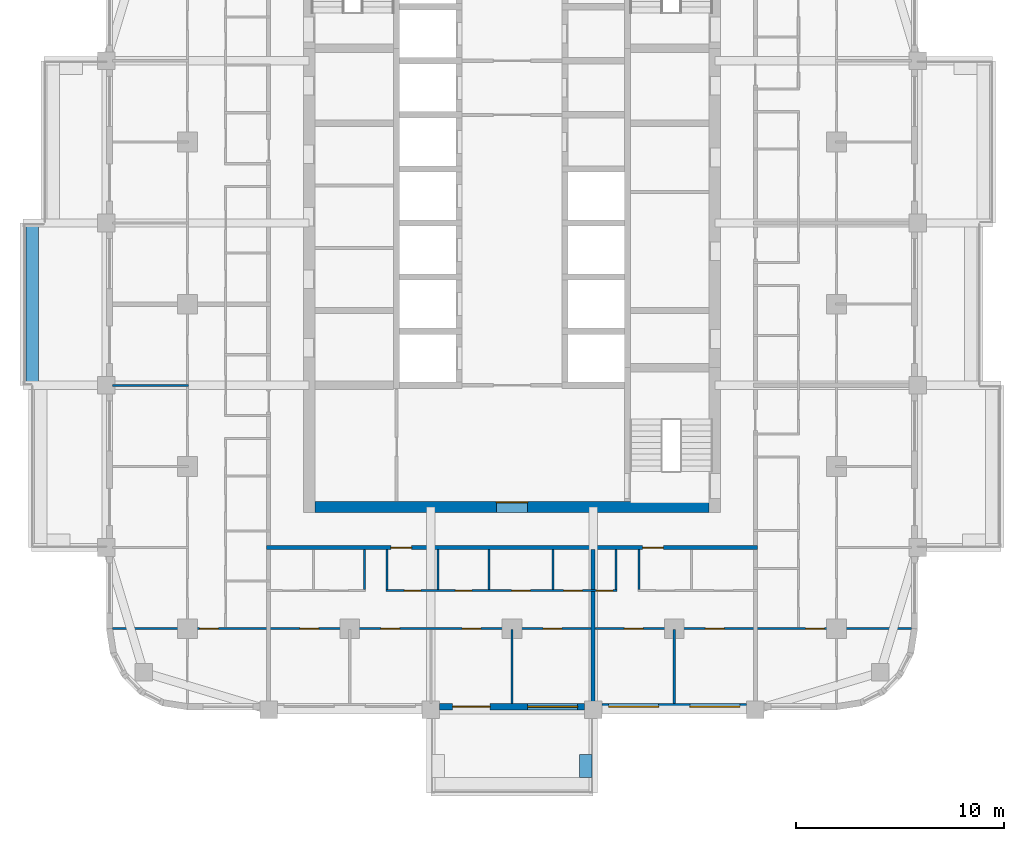
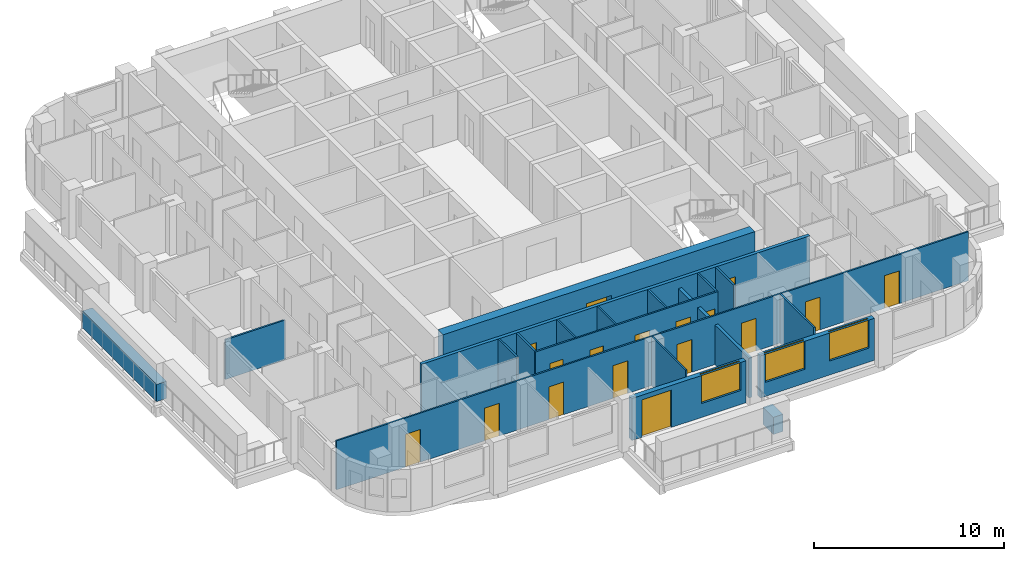
# One storey, part 3 of 14: 19 walls, 17 doors, 3 windows, 20 openings.
"""IFC4 building model written with IfcOpenShell, lengths in metres."""

from ifc_helpers import new_model, si_unit, direction, frame, frame_2d, origin, place, context, subcontext, project, spatial, rectangle, extrude, material, layer, layer_set, type_object, element, fill, save


model = new_model("IFC4")

# Units and contexts
model_context = context("Model", 3, precision=1e-05, world=origin(), true_north=direction((0.0, 1.0)))
body_context = subcontext(model_context, "Body", "Model", "MODEL_VIEW")
ifc_project = project(units=[si_unit("LENGTHUNIT", "METRE"), si_unit("AREAUNIT", "SQUARE_METRE"), si_unit("VOLUMEUNIT", "CUBIC_METRE"), si_unit("PLANEANGLEUNIT", "RADIAN"), si_unit("MASSUNIT", "GRAM", prefix="KILO")], contexts=[model_context])

# Site, building, storey
site_placement = place(None, origin())
site = spatial("IfcSite", under=ifc_project, at=site_placement, CompositionType="ELEMENT")
building_placement = place(site_placement, origin())
building = spatial("IfcBuilding", under=site, at=building_placement, Name="Ludao Terraces", CompositionType="ELEMENT")
storey_placement = place(building_placement, frame((0.0, 0.0, 106.699951171875)))
storey = spatial("IfcBuildingStorey", under=building, at=storey_placement, Name="L29", CompositionType="ELEMENT", Elevation=106.699951171875)

# Wall, opening, door
ifc_material_1 = material(Name="Concrete C60", Category="concrete")
ifc_layer_1 = layer(ifc_material_1, 0.550048828125)
ifc_layer_set_1 = layer_set([ifc_layer_1], Name="Core wall 550 C60")
wall_type_1 = type_object("IfcWallType", Name="Core wall 550 C60", PredefinedType="SOLIDWALL", material=ifc_layer_set_1)
wall_1_placement = place(storey_placement, frame((75.52490234375, 55.25, -0.25), z_axis=(0.0, 0.0, 1.0), x_axis=(1.0, 0.0, 0.0)))
wall_1 = element("IfcWall", 1, at=wall_1_placement, inside=storey, type_object=wall_type_1, Name="Core wall L29 outer-S", PredefinedType="SOLIDWALL", context=body_context, shape_type="SweptSolid", body=[
    extrude(rectangle(XDim=18.9501953125, YDim=0.550048828125, at=frame_2d((9.47509765625, 0.0))), origin(), (0.0, 0.0, 1.0), 3.400146484375),
])
opening_1_placement = place(wall_1_placement, frame((8.72509765625, 0.0, 0.25)))
opening_1 = element("IfcOpeningElement", 2, at=opening_1_placement, cuts=wall_1, Name="Opening R08-029", PredefinedType="OPENING", context=body_context, shape_type="SweptSolid", body=[
    extrude(rectangle(XDim=1.5, YDim=2.10009765625, at=frame_2d((0.75, 1.050048828125))), frame((0.0, 0.28515625, 0.0), z_axis=(0.0, -1.0, 0.0), x_axis=(1.0, 0.0, 0.0)), (0.0, 0.0, 1.0), 0.570068359375),
])
ifc_material_2 = material(Name="Steel Q235", Category="steel")
door_type_1 = type_object("IfcDoorType", Name="INT Lobby door 1500", OperationType="DOUBLE_DOOR_SINGLE_SWING", PredefinedType="DOOR", material=ifc_material_2)
door_1_placement = place(opening_1_placement, origin())
door_1 = element("IfcDoor", 3, at=door_1_placement, inside=storey, type_object=door_type_1, Name="DOOR 029", OperationType="DOUBLE_DOOR_SINGLE_SWING", OverallHeight=2.10009765625, OverallWidth=1.5, PredefinedType="DOOR", context=body_context, shape_type="SweptSolid", body=[
    extrude(rectangle(XDim=1.5, YDim=2.10009765625, at=frame_2d((0.75, 1.050048828125))), frame((0.0, 0.26025390625, 0.0), z_axis=(0.0, -1.0, 0.0), x_axis=(1.0, 0.0, 0.0)), (0.0, 0.0, 1.0), 0.050048828125),
])
fill(opening_1, door_1)

# Walls
ifc_material_3 = material(Name="Concrete C40", Category="concrete")
ifc_layer_2 = layer(ifc_material_3, 0.60009765625)
ifc_layer_set_2 = layer_set([ifc_layer_2], Name="ENV Planter trough 600")
wall_type_2 = type_object("IfcWallType", Name="ENV Planter trough 600", PredefinedType="USERDEFINED", material=ifc_layer_set_2)
wall_2_placement = place(storey_placement, frame((88.550048828125, 42.25, 0.0), z_axis=(0.0, 0.0, 1.0), x_axis=(0.0, 1.0, 0.0)))
element("IfcWall", 4, at=wall_2_placement, inside=storey, type_object=wall_type_2, Name="PL-L29-S1-SB", ObjectType="PLANTER", PredefinedType="USERDEFINED", context=body_context, shape_type="SweptSolid", body=[
    extrude(rectangle(XDim=1.10009765625, YDim=0.60009765625, at=frame_2d((0.550048828125, 0.0))), origin(), (0.0, 0.0, 1.0), 1.10009765625),
])
wall_3_placement = place(storey_placement, frame((61.949951171875, 61.10009765625, 0.0), z_axis=(0.0, 0.0, 1.0), x_axis=(0.0, 1.0, 0.0)))
element("IfcWall", 5, at=wall_3_placement, inside=storey, type_object=wall_type_2, Name="PL-L29-W2", ObjectType="PLANTER", PredefinedType="USERDEFINED", context=body_context, shape_type="SweptSolid", body=[
    extrude(rectangle(XDim=7.7998046875, YDim=0.60009765625, at=frame_2d((3.89990234375, 0.0))), origin(), (0.0, 0.0, 1.0), 1.10009765625),
])

# Wall, openings, door, window
ifc_material_4 = material(Name="Granite cladding", Category="masonry")
ifc_layer_3 = layer(ifc_material_4, 0.0400390625, Category="stone")
ifc_material_5 = material(Name="Mineral wool")
ifc_layer_4 = layer(ifc_material_5, 0.06005859375)
ifc_layer_5 = layer(ifc_material_3, 0.199951171875, Category="concrete")
ifc_layer_set_3 = layer_set([ifc_layer_3, ifc_layer_4, ifc_layer_5], Name="ENV Stone-clad wall 300")
wall_type_3 = type_object("IfcWallType", Name="ENV Stone-clad wall 300", PredefinedType="SOLIDWALL", material=ifc_layer_set_3)
wall_4_placement = place(storey_placement, frame((81.52490234375, 45.64990234375, 0.0), z_axis=(0.0, 0.0, 1.0), x_axis=(1.0, 0.0, 0.0)))
wall_4 = element("IfcWall", 6, at=wall_4_placement, inside=storey, type_object=wall_type_3, Name="EW-L29-S3", PredefinedType="SOLIDWALL", context=body_context, shape_type="SweptSolid", body=[
    extrude(rectangle(XDim=6.9501953125, YDim=0.300048828125, at=frame_2d((3.47509765625, 0.0))), origin(), (0.0, 0.0, 1.0), 2.699951171875),
])
opening_2_placement = place(wall_4_placement, frame((0.625, 0.0, 0.0)))
opening_2 = element("IfcOpeningElement", 7, at=opening_2_placement, cuts=wall_4, Name="Opening BD", PredefinedType="OPENING", context=body_context, shape_type="SweptSolid", body=[
    extrude(rectangle(XDim=1.800048828125, YDim=2.39990234375, at=frame_2d((0.89990234375, 1.199951171875))), frame((0.0, 0.16015625, 0.0), z_axis=(0.0, -1.0, 0.0), x_axis=(1.0, 0.0, 0.0)), (0.0, 0.0, 1.0), 0.320068359375),
])
opening_3_placement = place(wall_4_placement, frame((4.22509765625, 0.0, 0.89990234375)))
opening_3 = element("IfcOpeningElement", 8, at=opening_3_placement, cuts=wall_4, Name="Opening W1", PredefinedType="OPENING", context=body_context, shape_type="SweptSolid", body=[
    extrude(rectangle(XDim=2.39990234375, YDim=1.800048828125, at=frame_2d((1.199951171875, 0.89990234375))), frame((0.0, 0.16015625, 0.0), z_axis=(0.0, -1.0, 0.0), x_axis=(1.0, 0.0, 0.0)), (0.0, 0.0, 1.0), 0.320068359375),
])
ifc_material_6 = material(Name="Aluminium glazed door", Category="aluminium")
ifc_layer_6 = layer(ifc_material_6, 0.06005859375)
ifc_layer_set_4 = layer_set([ifc_layer_6], Name="ENV Balcony door BD 1800x2400")
door_type_2 = type_object("IfcDoorType", Name="ENV Balcony door BD 1800x2400", OperationType="DOUBLE_DOOR_SINGLE_SWING", PredefinedType="DOOR", material=ifc_layer_set_4)
door_2_placement = place(opening_2_placement, origin())
door_2 = element("IfcDoor", 9, at=door_2_placement, inside=storey, type_object=door_type_2, Name="BD-L29-S3-1", OperationType="DOUBLE_DOOR_SINGLE_SWING", OverallHeight=2.39990234375, OverallWidth=1.800048828125, PredefinedType="DOOR", context=body_context, shape_type="SweptSolid", body=[
    extrude(rectangle(XDim=1.800048828125, YDim=2.39990234375, at=frame_2d((0.89990234375, 1.199951171875))), frame((0.0, 0.02490234375, 0.0), z_axis=(0.0, -1.0, 0.0), x_axis=(1.0, 0.0, 0.0)), (0.0, 0.0, 1.0), 0.050048828125),
])
fill(opening_2, door_2)
ifc_material_7 = material(Name="Clear glass in aluminium frame", Category="aluminium")
ifc_layer_7 = layer(ifc_material_7, 0.06005859375)
ifc_layer_set_5 = layer_set([ifc_layer_7], Name="ENV Window W1 2400x1800")
window_type = type_object("IfcWindowType", Name="ENV Window W1 2400x1800", PartitioningType="DOUBLE_PANEL_VERTICAL", PredefinedType="WINDOW", material=ifc_layer_set_5)
window_1_placement = place(opening_3_placement, origin())
window_1 = element("IfcWindow", 10, at=window_1_placement, inside=storey, type_object=window_type, Name="W-L29-S3-2", OverallHeight=1.800048828125, OverallWidth=2.39990234375, PartitioningType="DOUBLE_PANEL_VERTICAL", PredefinedType="WINDOW", context=body_context, shape_type="SweptSolid", body=[
    extrude(rectangle(XDim=2.39990234375, YDim=1.800048828125, at=frame_2d((1.199951171875, 0.89990234375))), frame((0.0, 0.030029296875, 0.0), z_axis=(0.0, -1.0, 0.0), x_axis=(1.0, 0.0, 0.0)), (0.0, 0.0, 1.0), 0.06005859375),
])
fill(opening_3, window_1)

# Wall, openings, windows
wall_5_placement = place(storey_placement, frame((89.324951171875, 45.64990234375, 0.0), z_axis=(0.0, 0.0, 1.0), x_axis=(1.0, 0.0, 0.0)))
wall_5 = element("IfcWall", 11, at=wall_5_placement, inside=storey, type_object=wall_type_3, Name="EW-L29-S4", PredefinedType="SOLIDWALL", context=body_context, shape_type="SweptSolid", body=[
    extrude(rectangle(XDim=6.949951171875, YDim=0.300048828125, at=frame_2d((3.47509765625, 0.0))), origin(), (0.0, 0.0, 1.0), 2.699951171875),
])
opening_4_placement = place(wall_5_placement, frame((0.324951171875, 0.0, 0.89990234375)))
opening_4 = element("IfcOpeningElement", 12, at=opening_4_placement, cuts=wall_5, Name="Opening W1", PredefinedType="OPENING", context=body_context, shape_type="SweptSolid", body=[
    extrude(rectangle(XDim=2.39990234375, YDim=1.800048828125, at=frame_2d((1.199951171875, 0.89990234375))), frame((0.0, 0.16015625, 0.0), z_axis=(0.0, -1.0, 0.0), x_axis=(1.0, 0.0, 0.0)), (0.0, 0.0, 1.0), 0.320068359375),
])
opening_5_placement = place(wall_5_placement, frame((4.22509765625, 0.0, 0.89990234375)))
opening_5 = element("IfcOpeningElement", 13, at=opening_5_placement, cuts=wall_5, Name="Opening W1", PredefinedType="OPENING", context=body_context, shape_type="SweptSolid", body=[
    extrude(rectangle(XDim=2.39990234375, YDim=1.800048828125, at=frame_2d((1.199951171875, 0.89990234375))), frame((0.0, 0.16015625, 0.0), z_axis=(0.0, -1.0, 0.0), x_axis=(1.0, 0.0, 0.0)), (0.0, 0.0, 1.0), 0.320068359375),
])
window_2_placement = place(opening_4_placement, origin())
window_2 = element("IfcWindow", 14, at=window_2_placement, inside=storey, type_object=window_type, Name="W-L29-S4-1", OverallHeight=1.800048828125, OverallWidth=2.39990234375, PartitioningType="DOUBLE_PANEL_VERTICAL", PredefinedType="WINDOW", context=body_context, shape_type="SweptSolid", body=[
    extrude(rectangle(XDim=2.39990234375, YDim=1.800048828125, at=frame_2d((1.199951171875, 0.89990234375))), frame((0.0, 0.030029296875, 0.0), z_axis=(0.0, -1.0, 0.0), x_axis=(1.0, 0.0, 0.0)), (0.0, 0.0, 1.0), 0.06005859375),
])
fill(opening_4, window_2)
window_3_placement = place(opening_5_placement, origin())
window_3 = element("IfcWindow", 15, at=window_3_placement, inside=storey, type_object=window_type, Name="W-L29-S4-2", OverallHeight=1.800048828125, OverallWidth=2.39990234375, PartitioningType="DOUBLE_PANEL_VERTICAL", PredefinedType="WINDOW", context=body_context, shape_type="SweptSolid", body=[
    extrude(rectangle(XDim=2.39990234375, YDim=1.800048828125, at=frame_2d((1.199951171875, 0.89990234375))), frame((0.0, 0.030029296875, 0.0), z_axis=(0.0, -1.0, 0.0), x_axis=(1.0, 0.0, 0.0)), (0.0, 0.0, 1.0), 0.06005859375),
])
fill(opening_5, window_3)

# Wall, openings, doors
ifc_material_8 = material(Name="Autoclaved aerated concrete block B06 A3.5", Category="concrete")
ifc_layer_8 = layer(ifc_material_8, 0.199951171875)
ifc_layer_set_6 = layer_set([ifc_layer_8], Name="INT Entrance wall 200")
wall_type_4 = type_object("IfcWallType", Name="INT Entrance wall 200", PredefinedType="PARTITIONING", material=ifc_layer_set_6)
wall_6_placement = place(storey_placement, frame((73.2001953125, 53.300048828125, 0.0), z_axis=(0.0, 0.0, 1.0), x_axis=(1.0, 0.0, 0.0)))
wall_6 = element("IfcWall", 16, at=wall_6_placement, inside=storey, type_object=wall_type_4, Name="PW-L29-PW007", PredefinedType="PARTITIONING", context=body_context, shape_type="SweptSolid", body=[
    extrude(rectangle(XDim=23.599853515625, YDim=0.199951171875, at=frame_2d((11.7998046875, 0.0))), origin(), (0.0, 0.0, 1.0), 3.150146484375),
])
opening_6_placement = place(wall_6_placement, frame((5.974853515625, 0.0, 0.0)))
opening_6 = element("IfcOpeningElement", 17, at=opening_6_placement, cuts=wall_6, Name="Opening R08-026", PredefinedType="OPENING", context=body_context, shape_type="SweptSolid", body=[
    extrude(rectangle(XDim=1.0, YDim=2.10009765625, at=frame_2d((0.5, 1.050048828125))), frame((0.0, 0.10986328125, 0.0), z_axis=(0.0, -1.0, 0.0), x_axis=(1.0, 0.0, 0.0)), (0.0, 0.0, 1.0), 0.219970703125),
])
opening_7_placement = place(wall_6_placement, frame((18.074951171875, 0.0, 0.0)))
opening_7 = element("IfcOpeningElement", 18, at=opening_7_placement, cuts=wall_6, Name="Opening R08-027", PredefinedType="OPENING", context=body_context, shape_type="SweptSolid", body=[
    extrude(rectangle(XDim=1.0, YDim=2.10009765625, at=frame_2d((0.5, 1.050048828125))), frame((0.0, 0.10986328125, 0.0), z_axis=(0.0, -1.0, 0.0), x_axis=(1.0, 0.0, 0.0)), (0.0, 0.0, 1.0), 0.219970703125),
])
door_type_3 = type_object("IfcDoorType", Name="INT Flat entrance door 1000", OperationType="SINGLE_SWING_LEFT", PredefinedType="DOOR", material=ifc_material_2)
door_3_placement = place(opening_6_placement, origin())
door_3 = element("IfcDoor", 19, at=door_3_placement, inside=storey, type_object=door_type_3, Name="DOOR 026", OperationType="SINGLE_SWING_LEFT", OverallHeight=2.10009765625, OverallWidth=1.0, PredefinedType="DOOR", context=body_context, shape_type="SweptSolid", body=[
    extrude(rectangle(XDim=1.0, YDim=2.10009765625, at=frame_2d((0.5, 1.050048828125))), frame((0.0, 0.02490234375, 0.0), z_axis=(0.0, -1.0, 0.0), x_axis=(1.0, 0.0, 0.0)), (0.0, 0.0, 1.0), 0.050048828125),
])
fill(opening_6, door_3)
door_4_placement = place(opening_7_placement, origin())
door_4 = element("IfcDoor", 20, at=door_4_placement, inside=storey, type_object=door_type_3, Name="DOOR 027", OperationType="SINGLE_SWING_LEFT", OverallHeight=2.10009765625, OverallWidth=1.0, PredefinedType="DOOR", context=body_context, shape_type="SweptSolid", body=[
    extrude(rectangle(XDim=1.0, YDim=2.10009765625, at=frame_2d((0.5, 1.050048828125))), frame((0.0, 0.02490234375, 0.0), z_axis=(0.0, -1.0, 0.0), x_axis=(1.0, 0.0, 0.0)), (0.0, 0.0, 1.0), 0.050048828125),
])
fill(opening_7, door_4)

ifc_material_9 = material(Name="Gypsum plasterboard", Category="gypsum")
ifc_layer_9 = layer(ifc_material_9, 0.012451171875, Category="gypsum")
ifc_layer_10 = layer(ifc_material_5, 0.06005859375, Name="insulation")
ifc_layer_11 = layer(ifc_material_2, 0.014892578125, Name="stud")
ifc_layer_12 = layer(ifc_material_9, 0.012451171875, Category="gypsum")
ifc_layer_set_7 = layer_set([ifc_layer_9, ifc_layer_10, ifc_layer_11, ifc_layer_12], Name="INT Partition 100")
wall_type_5 = type_object("IfcWallType", Name="INT Partition 100", PredefinedType="PARTITIONING", material=ifc_layer_set_7)
wall_7_placement = place(storey_placement, frame((65.800048828125, 49.39990234375, 0.0), z_axis=(0.0, 0.0, 1.0), x_axis=(1.0, 0.0, 0.0)))
wall_7 = element("IfcWall", 21, at=wall_7_placement, inside=storey, type_object=wall_type_5, Name="PW-L29-PW000", PredefinedType="PARTITIONING", context=body_context, shape_type="SweptSolid", body=[
    extrude(rectangle(XDim=38.400146484375, YDim=0.10009765625, at=frame_2d((19.2001953125, 0.0))), origin(), (0.0, 0.0, 1.0), 3.150146484375),
])
opening_8_placement = place(wall_7_placement, frame((4.18994140625, 0.0, 0.0)))
opening_8 = element("IfcOpeningElement", 22, at=opening_8_placement, cuts=wall_7, Name="Opening R08-003", PredefinedType="OPENING", context=body_context, shape_type="SweptSolid", body=[
    extrude(rectangle(XDim=0.89990234375, YDim=2.10009765625, at=frame_2d((0.449951171875, 1.050048828125))), frame((0.0, 0.06005859375, 0.0), z_axis=(0.0, -1.0, 0.0), x_axis=(1.0, 0.0, 0.0)), (0.0, 0.0, 1.0), 0.1201171875),
])
opening_9_placement = place(wall_7_placement, frame((9.0, 0.0, 0.0)))
opening_9 = element("IfcOpeningElement", 23, at=opening_9_placement, cuts=wall_7, Name="Opening R08-004", PredefinedType="OPENING", context=body_context, shape_type="SweptSolid", body=[
    extrude(rectangle(XDim=0.89990234375, YDim=2.10009765625, at=frame_2d((0.449951171875, 1.050048828125))), frame((0.0, 0.06005859375, 0.0), z_axis=(0.0, -1.0, 0.0), x_axis=(1.0, 0.0, 0.0)), (0.0, 0.0, 1.0), 0.1201171875),
])
opening_10_placement = place(wall_7_placement, frame((12.89990234375, 0.0, 0.0)))
opening_10 = element("IfcOpeningElement", 24, at=opening_10_placement, cuts=wall_7, Name="Opening R08-005", PredefinedType="OPENING", context=body_context, shape_type="SweptSolid", body=[
    extrude(rectangle(XDim=0.89990234375, YDim=2.10009765625, at=frame_2d((0.449951171875, 1.050048828125))), frame((0.0, 0.06005859375, 0.0), z_axis=(0.0, -1.0, 0.0), x_axis=(1.0, 0.0, 0.0)), (0.0, 0.0, 1.0), 0.1201171875),
])
opening_11_placement = place(wall_7_placement, frame((16.800048828125, 0.0, 0.0)))
opening_11 = element("IfcOpeningElement", 25, at=opening_11_placement, cuts=wall_7, Name="Opening R08-006", PredefinedType="OPENING", context=body_context, shape_type="SweptSolid", body=[
    extrude(rectangle(XDim=0.89990234375, YDim=2.10009765625, at=frame_2d((0.449951171875, 1.050048828125))), frame((0.0, 0.06005859375, 0.0), z_axis=(0.0, -1.0, 0.0), x_axis=(1.0, 0.0, 0.0)), (0.0, 0.0, 1.0), 0.1201171875),
])
opening_12_placement = place(wall_7_placement, frame((20.699951171875, 0.0, 0.0)))
opening_12 = element("IfcOpeningElement", 26, at=opening_12_placement, cuts=wall_7, Name="Opening R08-007", PredefinedType="OPENING", context=body_context, shape_type="SweptSolid", body=[
    extrude(rectangle(XDim=0.89990234375, YDim=2.10009765625, at=frame_2d((0.449951171875, 1.050048828125))), frame((0.0, 0.06005859375, 0.0), z_axis=(0.0, -1.0, 0.0), x_axis=(1.0, 0.0, 0.0)), (0.0, 0.0, 1.0), 0.1201171875),
])
opening_13_placement = place(wall_7_placement, frame((24.60009765625, 0.0, 0.0)))
opening_13 = element("IfcOpeningElement", 27, at=opening_13_placement, cuts=wall_7, Name="Opening R08-008", PredefinedType="OPENING", context=body_context, shape_type="SweptSolid", body=[
    extrude(rectangle(XDim=0.89990234375, YDim=2.10009765625, at=frame_2d((0.449951171875, 1.050048828125))), frame((0.0, 0.06005859375, 0.0), z_axis=(0.0, -1.0, 0.0), x_axis=(1.0, 0.0, 0.0)), (0.0, 0.0, 1.0), 0.1201171875),
])
opening_14_placement = place(wall_7_placement, frame((28.5, 0.0, 0.0)))
opening_14 = element("IfcOpeningElement", 28, at=opening_14_placement, cuts=wall_7, Name="Opening R08-009", PredefinedType="OPENING", context=body_context, shape_type="SweptSolid", body=[
    extrude(rectangle(XDim=0.89990234375, YDim=2.10009765625, at=frame_2d((0.449951171875, 1.050048828125))), frame((0.0, 0.06005859375, 0.0), z_axis=(0.0, -1.0, 0.0), x_axis=(1.0, 0.0, 0.0)), (0.0, 0.0, 1.0), 0.1201171875),
])
opening_15_placement = place(wall_7_placement, frame((33.31005859375, 0.0, 0.0)))
opening_15 = element("IfcOpeningElement", 29, at=opening_15_placement, cuts=wall_7, Name="Opening R08-010", PredefinedType="OPENING", context=body_context, shape_type="SweptSolid", body=[
    extrude(rectangle(XDim=0.89990234375, YDim=2.10009765625, at=frame_2d((0.449951171875, 1.050048828125))), frame((0.0, 0.06005859375, 0.0), z_axis=(0.0, -1.0, 0.0), x_axis=(1.0, 0.0, 0.0)), (0.0, 0.0, 1.0), 0.1201171875),
])
ifc_material_10 = material(Name="Timber door leaf", Category="wood")
door_type_4 = type_object("IfcDoorType", Name="INT Room door 900", OperationType="SINGLE_SWING_LEFT", PredefinedType="DOOR", material=ifc_material_10)
door_5_placement = place(opening_8_placement, origin())
door_5 = element("IfcDoor", 30, at=door_5_placement, inside=storey, type_object=door_type_4, Name="DOOR 003", OperationType="SINGLE_SWING_RIGHT", OverallHeight=2.10009765625, OverallWidth=0.89990234375, PredefinedType="DOOR", context=body_context, shape_type="SweptSolid", body=[
    extrude(rectangle(XDim=0.89990234375, YDim=2.10009765625, at=frame_2d((0.449951171875, 1.050048828125))), frame((0.0, 0.02490234375, 0.0), z_axis=(0.0, -1.0, 0.0), x_axis=(1.0, 0.0, 0.0)), (0.0, 0.0, 1.0), 0.050048828125),
])
fill(opening_8, door_5)
door_6_placement = place(opening_9_placement, origin())
door_6 = element("IfcDoor", 31, at=door_6_placement, inside=storey, type_object=door_type_4, Name="DOOR 004", OperationType="SINGLE_SWING_RIGHT", OverallHeight=2.10009765625, OverallWidth=0.89990234375, PredefinedType="DOOR", context=body_context, shape_type="SweptSolid", body=[
    extrude(rectangle(XDim=0.89990234375, YDim=2.10009765625, at=frame_2d((0.449951171875, 1.050048828125))), frame((0.0, 0.02490234375, 0.0), z_axis=(0.0, -1.0, 0.0), x_axis=(1.0, 0.0, 0.0)), (0.0, 0.0, 1.0), 0.050048828125),
])
fill(opening_9, door_6)
door_7_placement = place(opening_10_placement, origin())
door_7 = element("IfcDoor", 32, at=door_7_placement, inside=storey, type_object=door_type_4, Name="DOOR 005", OperationType="SINGLE_SWING_RIGHT", OverallHeight=2.10009765625, OverallWidth=0.89990234375, PredefinedType="DOOR", context=body_context, shape_type="SweptSolid", body=[
    extrude(rectangle(XDim=0.89990234375, YDim=2.10009765625, at=frame_2d((0.449951171875, 1.050048828125))), frame((0.0, 0.02490234375, 0.0), z_axis=(0.0, -1.0, 0.0), x_axis=(1.0, 0.0, 0.0)), (0.0, 0.0, 1.0), 0.050048828125),
])
fill(opening_10, door_7)
door_8_placement = place(opening_11_placement, origin())
door_8 = element("IfcDoor", 33, at=door_8_placement, inside=storey, type_object=door_type_4, Name="DOOR 006", OperationType="SINGLE_SWING_RIGHT", OverallHeight=2.10009765625, OverallWidth=0.89990234375, PredefinedType="DOOR", context=body_context, shape_type="SweptSolid", body=[
    extrude(rectangle(XDim=0.89990234375, YDim=2.10009765625, at=frame_2d((0.449951171875, 1.050048828125))), frame((0.0, 0.02490234375, 0.0), z_axis=(0.0, -1.0, 0.0), x_axis=(1.0, 0.0, 0.0)), (0.0, 0.0, 1.0), 0.050048828125),
])
fill(opening_11, door_8)
door_9_placement = place(opening_12_placement, origin())
door_9 = element("IfcDoor", 34, at=door_9_placement, inside=storey, type_object=door_type_4, Name="DOOR 007", OperationType="SINGLE_SWING_LEFT", OverallHeight=2.10009765625, OverallWidth=0.89990234375, PredefinedType="DOOR", context=body_context, shape_type="SweptSolid", body=[
    extrude(rectangle(XDim=0.89990234375, YDim=2.10009765625, at=frame_2d((0.449951171875, 1.050048828125))), frame((0.0, 0.02490234375, 0.0), z_axis=(0.0, -1.0, 0.0), x_axis=(1.0, 0.0, 0.0)), (0.0, 0.0, 1.0), 0.050048828125),
])
fill(opening_12, door_9)
door_10_placement = place(opening_13_placement, origin())
door_10 = element("IfcDoor", 35, at=door_10_placement, inside=storey, type_object=door_type_4, Name="DOOR 008", OperationType="SINGLE_SWING_RIGHT", OverallHeight=2.10009765625, OverallWidth=0.89990234375, PredefinedType="DOOR", context=body_context, shape_type="SweptSolid", body=[
    extrude(rectangle(XDim=0.89990234375, YDim=2.10009765625, at=frame_2d((0.449951171875, 1.050048828125))), frame((0.0, 0.02490234375, 0.0), z_axis=(0.0, -1.0, 0.0), x_axis=(1.0, 0.0, 0.0)), (0.0, 0.0, 1.0), 0.050048828125),
])
fill(opening_13, door_10)
door_11_placement = place(opening_14_placement, origin())
door_11 = element("IfcDoor", 36, at=door_11_placement, inside=storey, type_object=door_type_4, Name="DOOR 009", OperationType="SINGLE_SWING_RIGHT", OverallHeight=2.10009765625, OverallWidth=0.89990234375, PredefinedType="DOOR", context=body_context, shape_type="SweptSolid", body=[
    extrude(rectangle(XDim=0.89990234375, YDim=2.10009765625, at=frame_2d((0.449951171875, 1.050048828125))), frame((0.0, 0.02490234375, 0.0), z_axis=(0.0, -1.0, 0.0), x_axis=(1.0, 0.0, 0.0)), (0.0, 0.0, 1.0), 0.050048828125),
])
fill(opening_14, door_11)
door_12_placement = place(opening_15_placement, origin())
door_12 = element("IfcDoor", 37, at=door_12_placement, inside=storey, type_object=door_type_4, Name="DOOR 010", OperationType="SINGLE_SWING_LEFT", OverallHeight=2.10009765625, OverallWidth=0.89990234375, PredefinedType="DOOR", context=body_context, shape_type="SweptSolid", body=[
    extrude(rectangle(XDim=0.89990234375, YDim=2.10009765625, at=frame_2d((0.449951171875, 1.050048828125))), frame((0.0, 0.02490234375, 0.0), z_axis=(0.0, -1.0, 0.0), x_axis=(1.0, 0.0, 0.0)), (0.0, 0.0, 1.0), 0.050048828125),
])
fill(opening_15, door_12)

wall_8_placement = place(storey_placement, frame((78.9501953125, 51.22998046875, 0.0), z_axis=(0.0, 0.0, 1.0), x_axis=(1.0, 0.0, 0.0)))
wall_8 = element("IfcWall", 38, at=wall_8_placement, inside=storey, type_object=wall_type_5, Name="PW-L29-PW002", PredefinedType="PARTITIONING", context=body_context, shape_type="SweptSolid", body=[
    extrude(rectangle(XDim=11.099853515625, YDim=0.10009765625, at=frame_2d((5.5498046875, 0.0))), origin(), (0.0, 0.0, 1.0), 3.150146484375),
])
opening_16_placement = place(wall_8_placement, frame((0.875, 0.0, 0.0)))
opening_16 = element("IfcOpeningElement", 39, at=opening_16_placement, cuts=wall_8, Name="Opening R08-015", PredefinedType="OPENING", context=body_context, shape_type="SweptSolid", body=[
    extrude(rectangle(XDim=0.800048828125, YDim=2.10009765625, at=frame_2d((0.39990234375, 1.050048828125))), frame((0.0, 0.06005859375, 0.0), z_axis=(0.0, -1.0, 0.0), x_axis=(1.0, 0.0, 0.0)), (0.0, 0.0, 1.0), 0.1201171875),
])
opening_17_placement = place(wall_8_placement, frame((3.324951171875, 0.0, 0.0)))
opening_17 = element("IfcOpeningElement", 40, at=opening_17_placement, cuts=wall_8, Name="Opening R08-016", PredefinedType="OPENING", context=body_context, shape_type="SweptSolid", body=[
    extrude(rectangle(XDim=0.800048828125, YDim=2.10009765625, at=frame_2d((0.39990234375, 1.050048828125))), frame((0.0, 0.06005859375, 0.0), z_axis=(0.0, -1.0, 0.0), x_axis=(1.0, 0.0, 0.0)), (0.0, 0.0, 1.0), 0.1201171875),
])
opening_18_placement = place(wall_8_placement, frame((6.034912109375, 0.0, 0.0)))
opening_18 = element("IfcOpeningElement", 41, at=opening_18_placement, cuts=wall_8, Name="Opening R08-017", PredefinedType="OPENING", context=body_context, shape_type="SweptSolid", body=[
    extrude(rectangle(XDim=0.89990234375, YDim=2.10009765625, at=frame_2d((0.449951171875, 1.050048828125))), frame((0.0, 0.06005859375, 0.0), z_axis=(0.0, -1.0, 0.0), x_axis=(1.0, 0.0, 0.0)), (0.0, 0.0, 1.0), 0.1201171875),
])
opening_19_placement = place(wall_8_placement, frame((8.534912109375, 0.0, 0.0)))
opening_19 = element("IfcOpeningElement", 42, at=opening_19_placement, cuts=wall_8, Name="Opening R08-018", PredefinedType="OPENING", context=body_context, shape_type="SweptSolid", body=[
    extrude(rectangle(XDim=0.89990234375, YDim=2.10009765625, at=frame_2d((0.449951171875, 1.050048828125))), frame((0.0, 0.06005859375, 0.0), z_axis=(0.0, -1.0, 0.0), x_axis=(1.0, 0.0, 0.0)), (0.0, 0.0, 1.0), 0.1201171875),
])
opening_20_placement = place(wall_8_placement, frame((10.099853515625, 0.0, 0.0)))
opening_20 = element("IfcOpeningElement", 43, at=opening_20_placement, cuts=wall_8, Name="Opening R08-019", PredefinedType="OPENING", context=body_context, shape_type="SweptSolid", body=[
    extrude(rectangle(XDim=0.800048828125, YDim=2.10009765625, at=frame_2d((0.39990234375, 1.050048828125))), frame((0.0, 0.06005859375, 0.0), z_axis=(0.0, -1.0, 0.0), x_axis=(1.0, 0.0, 0.0)), (0.0, 0.0, 1.0), 0.1201171875),
])
door_type_5 = type_object("IfcDoorType", Name="INT Bathroom door 900", OperationType="SINGLE_SWING_LEFT", PredefinedType="DOOR", material=ifc_material_10)
door_13_placement = place(opening_19_placement, origin())
door_13 = element("IfcDoor", 44, at=door_13_placement, inside=storey, type_object=door_type_5, Name="DOOR 018", OperationType="SINGLE_SWING_RIGHT", OverallHeight=2.10009765625, OverallWidth=0.89990234375, PredefinedType="DOOR", context=body_context, shape_type="SweptSolid", body=[
    extrude(rectangle(XDim=0.89990234375, YDim=2.10009765625, at=frame_2d((0.449951171875, 1.050048828125))), frame((0.0, 0.02490234375, 0.0), z_axis=(0.0, -1.0, 0.0), x_axis=(1.0, 0.0, 0.0)), (0.0, 0.0, 1.0), 0.050048828125),
])
fill(opening_19, door_13)
door_14_placement = place(opening_18_placement, origin())
door_14 = element("IfcDoor", 45, at=door_14_placement, inside=storey, type_object=door_type_4, Name="DOOR 017", OperationType="SINGLE_SWING_LEFT", OverallHeight=2.10009765625, OverallWidth=0.89990234375, PredefinedType="DOOR", context=body_context, shape_type="SweptSolid", body=[
    extrude(rectangle(XDim=0.89990234375, YDim=2.10009765625, at=frame_2d((0.449951171875, 1.050048828125))), frame((0.0, 0.02490234375, 0.0), z_axis=(0.0, -1.0, 0.0), x_axis=(1.0, 0.0, 0.0)), (0.0, 0.0, 1.0), 0.050048828125),
])
fill(opening_18, door_14)
door_type_6 = type_object("IfcDoorType", Name="INT Store door 800", OperationType="SINGLE_SWING_LEFT", PredefinedType="DOOR", material=ifc_material_10)
door_15_placement = place(opening_16_placement, origin())
door_15 = element("IfcDoor", 46, at=door_15_placement, inside=storey, type_object=door_type_6, Name="DOOR 015", OperationType="SINGLE_SWING_RIGHT", OverallHeight=2.10009765625, OverallWidth=0.800048828125, PredefinedType="DOOR", context=body_context, shape_type="SweptSolid", body=[
    extrude(rectangle(XDim=0.800048828125, YDim=2.10009765625, at=frame_2d((0.39990234375, 1.050048828125))), frame((0.0, 0.02490234375, 0.0), z_axis=(0.0, -1.0, 0.0), x_axis=(1.0, 0.0, 0.0)), (0.0, 0.0, 1.0), 0.050048828125),
])
fill(opening_16, door_15)
door_16_placement = place(opening_17_placement, origin())
door_16 = element("IfcDoor", 47, at=door_16_placement, inside=storey, type_object=door_type_6, Name="DOOR 016", OperationType="SINGLE_SWING_LEFT", OverallHeight=2.10009765625, OverallWidth=0.800048828125, PredefinedType="DOOR", context=body_context, shape_type="SweptSolid", body=[
    extrude(rectangle(XDim=0.800048828125, YDim=2.10009765625, at=frame_2d((0.39990234375, 1.050048828125))), frame((0.0, 0.02490234375, 0.0), z_axis=(0.0, -1.0, 0.0), x_axis=(1.0, 0.0, 0.0)), (0.0, 0.0, 1.0), 0.050048828125),
])
fill(opening_17, door_16)
door_17_placement = place(opening_20_placement, origin())
door_17 = element("IfcDoor", 48, at=door_17_placement, inside=storey, type_object=door_type_6, Name="DOOR 019", OperationType="SINGLE_SWING_LEFT", OverallHeight=2.10009765625, OverallWidth=0.800048828125, PredefinedType="DOOR", context=body_context, shape_type="SweptSolid", body=[
    extrude(rectangle(XDim=0.800048828125, YDim=2.10009765625, at=frame_2d((0.39990234375, 1.050048828125))), frame((0.0, 0.02490234375, 0.0), z_axis=(0.0, -1.0, 0.0), x_axis=(1.0, 0.0, 0.0)), (0.0, 0.0, 1.0), 0.050048828125),
])
fill(opening_20, door_17)

# Walls
wall_9_placement = place(storey_placement, frame((65.800048828125, 61.10009765625, 0.0), z_axis=(0.0, 0.0, 1.0), x_axis=(1.0, 0.0, 0.0)))
element("IfcWall", 49, at=wall_9_placement, inside=storey, type_object=wall_type_5, Name="PW-L29-PW018", PredefinedType="PARTITIONING", context=body_context, shape_type="SweptSolid", body=[
    extrude(rectangle(XDim=3.650146484375, YDim=0.10009765625, at=frame_2d((1.8251953125, 0.0))), origin(), (0.0, 0.0, 1.0), 2.550048828125),
])
for number, where, z_axis, x_axis, name in (
    (50, (77.89990234375, 51.280029296875, 0.0), (0.0, 0.0, 1.0), (0.0, 1.0, 0.0), "PW-L29-PW058"),
    (51, (79.0, 51.280029296875, 0.0), (0.0, 0.0, 1.0), (0.0, 1.0, 0.0), "PW-L29-PW059"),
    (52, (81.449951171875, 51.280029296875, 0.0), (0.0, 0.0, 1.0), (0.0, 1.0, 0.0), "PW-L29-PW062"),
    (53, (83.89990234375, 51.280029296875, 0.0), (0.0, 0.0, 1.0), (0.0, 1.0, 0.0), "PW-L29-PW063"),
):
    element("IfcWall", number, at=place(storey_placement, frame(where, z_axis=z_axis, x_axis=x_axis)), inside=storey, type_object=wall_type_5, Name=name, PredefinedType="PARTITIONING", context=body_context, shape_type="SweptSolid", body=[
        extrude(rectangle(XDim=1.920166015625, YDim=0.10009765625, at=frame_2d((0.9599609375, 0.0))), origin(), (0.0, 0.0, 1.0), 3.150146484375),
    ])
wall_10_placement = place(storey_placement, frame((85.0, 45.800048828125, 0.0), z_axis=(0.0, 0.0, 1.0), x_axis=(0.0, 1.0, 0.0)))
element("IfcWall", 54, at=wall_10_placement, inside=storey, type_object=wall_type_5, Name="PW-L29-PW064", PredefinedType="PARTITIONING", context=body_context, shape_type="SweptSolid", body=[
    extrude(rectangle(XDim=3.550048828125, YDim=0.10009765625, at=frame_2d((1.77490234375, 0.0))), origin(), (0.0, 0.0, 1.0), 3.150146484375),
])
for number, where, z_axis, x_axis, name in (
    (55, (86.969970703125, 51.280029296875, 0.0), (0.0, 0.0, 1.0), (0.0, 1.0, 0.0), "PW-L29-PW065"),
    (56, (90.0, 51.280029296875, 0.0), (0.0, 0.0, 1.0), (0.0, 1.0, 0.0), "PW-L29-PW067"),
    (57, (91.10009765625, 51.280029296875, 0.0), (0.0, 0.0, 1.0), (0.0, 1.0, 0.0), "PW-L29-PW068"),
):
    element("IfcWall", number, at=place(storey_placement, frame(where, z_axis=z_axis, x_axis=x_axis)), inside=storey, type_object=wall_type_5, Name=name, PredefinedType="PARTITIONING", context=body_context, shape_type="SweptSolid", body=[
        extrude(rectangle(XDim=1.920166015625, YDim=0.10009765625, at=frame_2d((0.9599609375, 0.0))), origin(), (0.0, 0.0, 1.0), 3.150146484375),
    ])
wall_11_placement = place(storey_placement, frame((92.800048828125, 45.800048828125, 0.0), z_axis=(0.0, 0.0, 1.0), x_axis=(0.0, 1.0, 0.0)))
element("IfcWall", 58, at=wall_11_placement, inside=storey, type_object=wall_type_5, Name="PW-L29-PW069", PredefinedType="PARTITIONING", context=body_context, shape_type="SweptSolid", body=[
    extrude(rectangle(XDim=3.550048828125, YDim=0.10009765625, at=frame_2d((1.77490234375, 0.0))), origin(), (0.0, 0.0, 1.0), 3.150146484375),
])
ifc_layer_13 = layer(ifc_material_8, 0.199951171875)
ifc_layer_set_8 = layer_set([ifc_layer_13], Name="INT Party wall 200")
wall_type_6 = type_object("IfcWallType", Name="INT Party wall 200", PredefinedType="PARTITIONING", material=ifc_layer_set_8)
wall_12_placement = place(storey_placement, frame((88.89990234375, 45.800048828125, 0.0), z_axis=(0.0, 0.0, 1.0), x_axis=(0.0, 1.0, 0.0)))
element("IfcWall", 59, at=wall_12_placement, inside=storey, type_object=wall_type_6, Name="PW-L29-PW066", PredefinedType="PARTITIONING", context=body_context, shape_type="SweptSolid", body=[
    extrude(rectangle(XDim=7.400146484375, YDim=0.199951171875, at=frame_2d((3.7001953125, 0.0))), origin(), (0.0, 0.0, 1.0), 2.550048828125),
])

save(model, "model.ifc")
